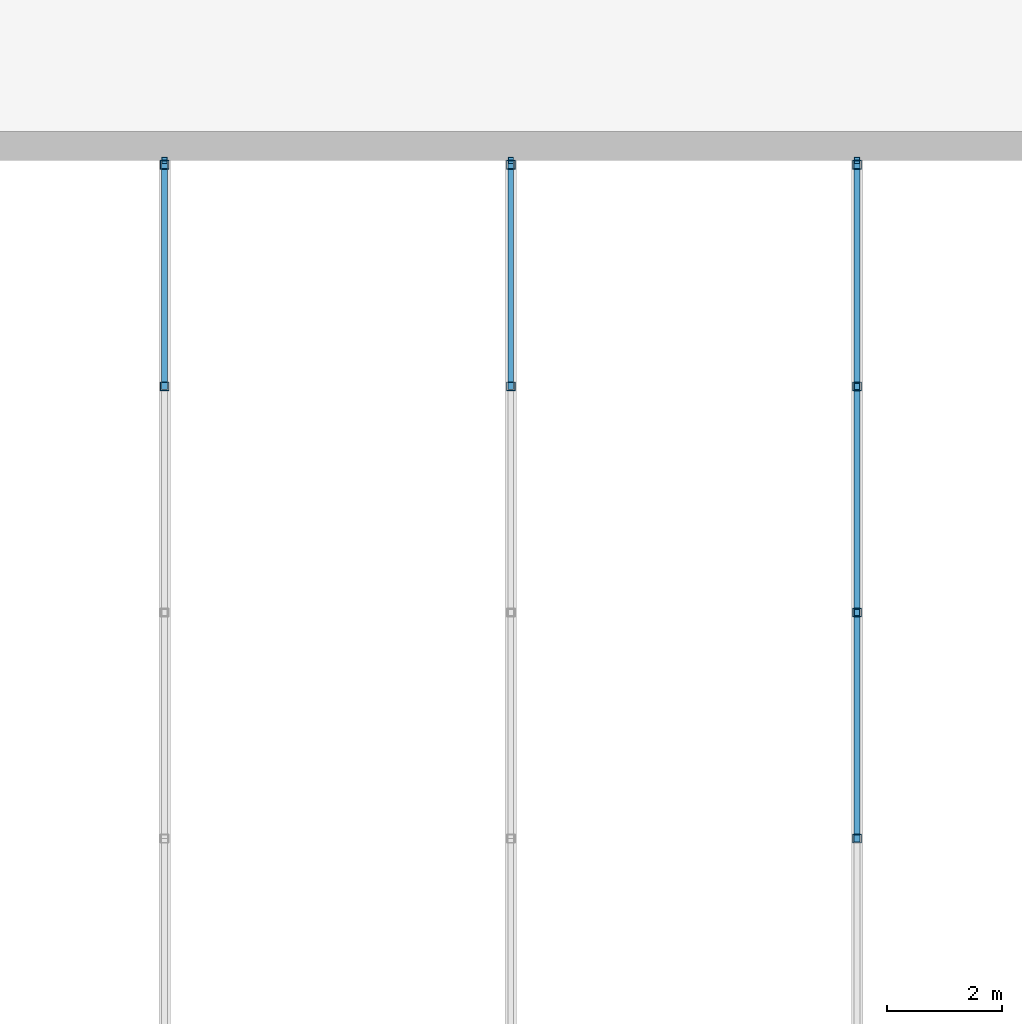
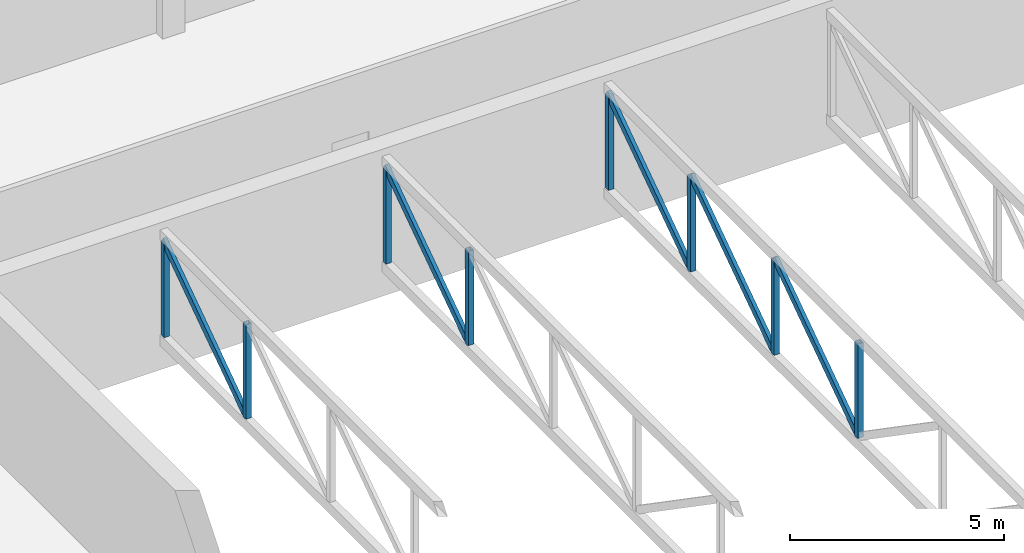
# One storey, part 14 of 47: 13 members.
"""IFC4 building model written with IfcOpenShell, lengths in metres."""

from ifc_helpers import new_model, si_unit, direction, frame, origin, origin_2d, place, context, subcontext, project, spatial, hollow_rectangle, extrude, material, material_profile, profile_set, type_object, element, save


model = new_model("IFC4")

# Units and contexts
model_context = context("Model", 3, precision=1e-05, world=origin(), true_north=direction((0.0, 1.0)))
body_context = subcontext(model_context, "Body", "Model", "MODEL_VIEW")
ifc_project = project(units=[si_unit("LENGTHUNIT", "METRE"), si_unit("AREAUNIT", "SQUARE_METRE"), si_unit("VOLUMEUNIT", "CUBIC_METRE"), si_unit("PLANEANGLEUNIT", "RADIAN"), si_unit("MASSUNIT", "GRAM", prefix="KILO")], contexts=[model_context])

# Site, building, storey
site_placement = place(None, origin())
site = spatial("IfcSite", under=ifc_project, at=site_placement, CompositionType="ELEMENT")
building_placement = place(site_placement, origin())
building = spatial("IfcBuilding", under=site, at=building_placement, Name="Nakaniwa Court", CompositionType="ELEMENT")
storey_placement = place(building_placement, frame((0.0, 0.0, 15.60009765625)))
storey = spatial("IfcBuildingStorey", under=building, at=storey_placement, Name="L03", CompositionType="ELEMENT", Elevation=15.60009765625)

# Members
ifc_material = material(Name="Steel AS/NZS 1163 Grade C350L0", Category="steel")
ifc_material_profile_1 = material_profile(ifc_material, hollow_rectangle(XDim=0.10009765625, YDim=0.199951171875, WallThickness=0.006103515625, at=origin_2d()), Name="RHS 200x100x6")
ifc_profile_set_1 = profile_set([ifc_material_profile_1], Name="Steel AS/NZS 1163 Grade C350L0")
member_type_1 = type_object("IfcMemberType", Name="Roof truss diagonal RHS 200x100x6", PredefinedType="BRACE", material=ifc_profile_set_1)
for number, where, z_axis, x_axis, name in (
    (1, (175.0, 87.833251953125, 1.0), (0.0, 0.823336002071, 0.567554250882), (-1.0, 0.0, 0.0), "Roof truss A1 diagonal 6"),
    (2, (181.0, 87.833251953125, 1.0), (0.0, 0.823336002071, 0.567554250882), (-1.0, 0.0, 0.0), "Roof truss A2 diagonal 6"),
    (3, (187.0, 80.0, 1.0), (0.0, 0.823336002071, 0.567554250882), (-1.0, 0.0, 0.0), "Roof truss A3 diagonal 4"),
    (4, (187.0, 83.916748046875, 1.0), (0.0, 0.82331946975, 0.567578233136), (-1.0, 0.0, 0.0), "Roof truss A3 diagonal 5"),
    (5, (187.0, 87.833251953125, 1.0), (0.0, 0.823336002071, 0.567554250882), (-1.0, 0.0, 0.0), "Roof truss A3 diagonal 6"),
):
    element("IfcMember", number, at=place(storey_placement, frame(where, z_axis=z_axis, x_axis=x_axis)), inside=storey, type_object=member_type_1, Name=name, PredefinedType="BRACE", context=body_context, shape_type="SweptSolid", body=[
        extrude(hollow_rectangle(XDim=0.10009765625, YDim=0.199951171875, WallThickness=0.006103515625, at=origin_2d()), origin(), (0.0, 0.0, 1.0), 4.757080078125),
    ])
ifc_material_profile_2 = material_profile(ifc_material, hollow_rectangle(XDim=0.14990234375, YDim=0.14990234375, WallThickness=0.006103515625, at=origin_2d()), Name="SHS 150x150x6")
ifc_profile_set_2 = profile_set([ifc_material_profile_2], Name="Steel AS/NZS 1163 Grade C350L0")
member_type_2 = type_object("IfcMemberType", Name="Roof truss post SHS 150x150x6", PredefinedType="STRUT", material=ifc_profile_set_2)
for number, where, z_axis, x_axis, name in (
    (6, (175.0, 87.833251953125, 1.0), (0.0, 0.0, 1.0), (1.0, 0.0, 0.0), "Roof truss A1 post 6"),
    (7, (175.0, 91.675048828125, 1.0), (0.0, 0.0, 1.0), (1.0, 0.0, 0.0), "Roof truss A1 post 7"),
    (8, (181.0, 87.833251953125, 1.0), (0.0, 0.0, 1.0), (1.0, 0.0, 0.0), "Roof truss A2 post 6"),
    (9, (181.0, 91.675048828125, 1.0), (0.0, 0.0, 1.0), (1.0, 0.0, 0.0), "Roof truss A2 post 7"),
    (10, (187.0, 80.0, 1.0), (0.0, 0.0, 1.0), (1.0, 0.0, 0.0), "Roof truss A3 post 4"),
    (11, (187.0, 83.916748046875, 1.0), (0.0, 0.0, 1.0), (1.0, 0.0, 0.0), "Roof truss A3 post 5"),
    (12, (187.0, 87.833251953125, 1.0), (0.0, 0.0, 1.0), (1.0, 0.0, 0.0), "Roof truss A3 post 6"),
    (13, (187.0, 91.675048828125, 1.0), (0.0, 0.0, 1.0), (1.0, 0.0, 0.0), "Roof truss A3 post 7"),
):
    element("IfcMember", number, at=place(storey_placement, frame(where, z_axis=z_axis, x_axis=x_axis)), inside=storey, type_object=member_type_2, Name=name, PredefinedType="STRUT", context=body_context, shape_type="SweptSolid", body=[
        extrude(hollow_rectangle(XDim=0.14990234375, YDim=0.14990234375, WallThickness=0.006103515625, at=origin_2d()), origin(), (0.0, 0.0, 1.0), 2.699951171875),
    ])

save(model, "model.ifc")
